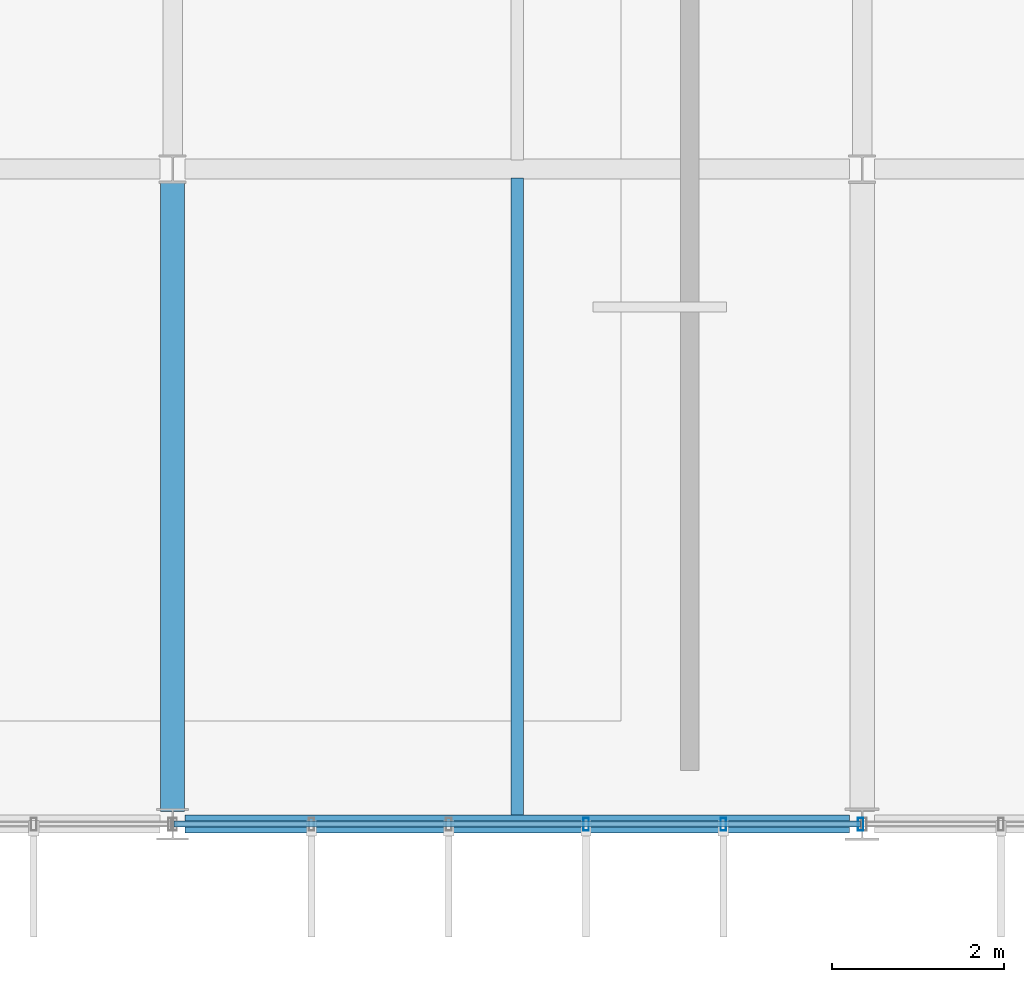
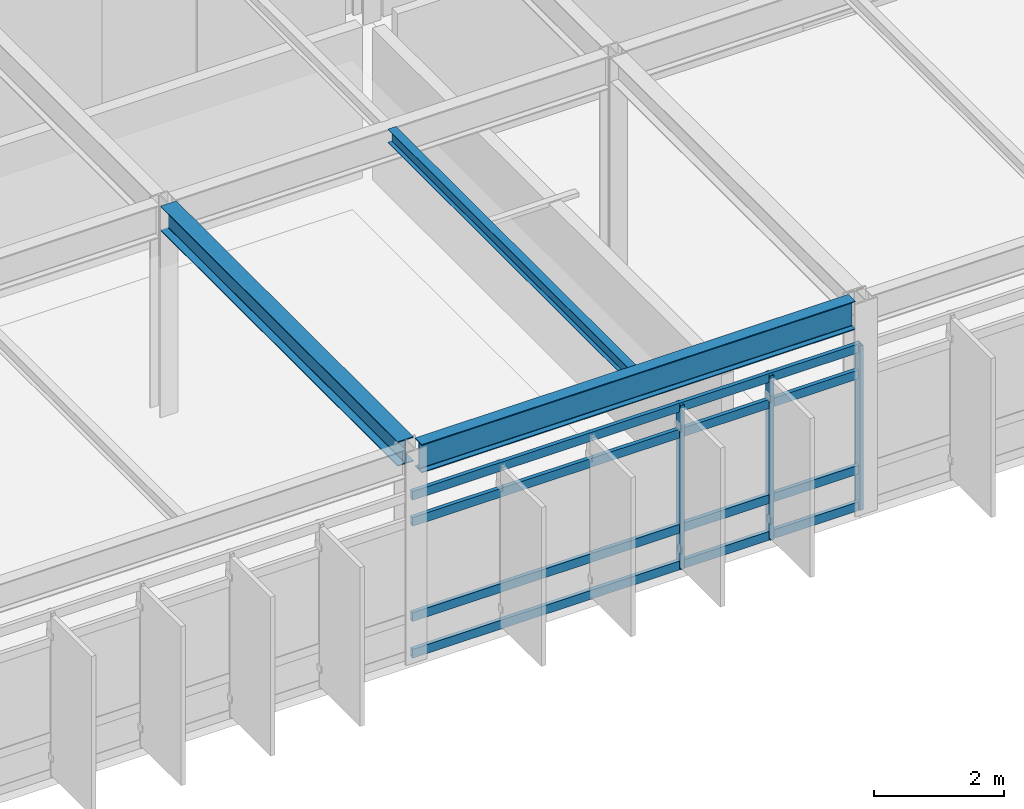
# One storey, part 22 of 85: 7 members, 3 beams, 1 element without a shape of its own.
"""IFC4 building model written with IfcOpenShell, lengths in metres."""

from ifc_helpers import new_model, si_unit, direction, frame, origin, origin_2d, place, context, subcontext, project, spatial, hollow_rectangle, i_section, extrude, material, material_profile, profile_set, type_object, element, aggregate, save


model = new_model("IFC4")

# Units and contexts
model_context = context("Model", 3, precision=1e-05, world=origin(), true_north=direction((0.0, 1.0)))
body_context = subcontext(model_context, "Body", "Model", "MODEL_VIEW")
ifc_project = project(units=[si_unit("LENGTHUNIT", "METRE"), si_unit("AREAUNIT", "SQUARE_METRE"), si_unit("VOLUMEUNIT", "CUBIC_METRE"), si_unit("PLANEANGLEUNIT", "RADIAN"), si_unit("MASSUNIT", "GRAM", prefix="KILO")], contexts=[model_context])

# Site, building, storey
site_placement = place(None, origin())
site = spatial("IfcSite", under=ifc_project, at=site_placement, CompositionType="ELEMENT")
building_placement = place(site_placement, origin())
building = spatial("IfcBuilding", under=site, at=building_placement, Name="Zulena Civic Courthouse", CompositionType="ELEMENT")
storey_placement = place(building_placement, frame((0.0, 0.0, 25.199951171875)))
storey = spatial("IfcBuildingStorey", under=building, at=storey_placement, Name="L05", CompositionType="ELEMENT", Elevation=25.199951171875)

# Curtain wall, members
ifc_material_1 = material(Name="Double-silver low-E laminated solar-control glass", Category="glass")
curtain_wall_type = type_object("IfcCurtainWallType", Name="CW_7964x3090", PredefinedType="USERDEFINED", material=ifc_material_1)
curtain_wall_placement = place(storey_placement, origin())
curtain_wall = element("IfcCurtainWall", 1, at=curtain_wall_placement, inside=storey, type_object=curtain_wall_type, Name="cw:V2:L05:3:4", ObjectType="UNITISED CURTAIN WALL", PredefinedType="USERDEFINED")
ifc_material_2 = material(Name="Bronze anodised thermally broken aluminium AA6063-T6", Category="aluminium")
ifc_material_profile_1 = material_profile(ifc_material_2, hollow_rectangle(XDim=0.06494140625, YDim=0.14990234375, WallThickness=0.00390625, at=origin_2d()), Name="CWM150X65X4")
ifc_profile_set_1 = profile_set([ifc_material_profile_1], Name="Bronze anodised thermally broken aluminium AA6063-T6")
member_type_1 = type_object("IfcMemberType", Name="CWMullion_150x65", PredefinedType="MULLION", material=ifc_profile_set_1)
member_1_placement = place(storey_placement, frame((35.98193359375, 0.0, 0.0), z_axis=(0.0, 0.0, 1.0), x_axis=(1.0, 0.0, 0.0)))
member_1 = element("IfcMember", 2, at=member_1_placement, type_object=member_type_1, Name="cw:V2:L05:3:4:mull:0", PredefinedType="MULLION", context=body_context, shape_type="SweptSolid", body=[
    extrude(hollow_rectangle(XDim=0.06494140625, YDim=0.14990234375, WallThickness=0.00390625, at=origin_2d()), origin(), (0.0, 0.0, 1.0), 3.090087890625),
])
member_2_placement = place(storey_placement, frame((34.38916015625, 0.0, 0.0), z_axis=(0.0, 0.0, 1.0), x_axis=(1.0, 0.0, 0.0)))
member_2 = element("IfcMember", 3, at=member_2_placement, type_object=member_type_1, Name="cw:V2:L05:3:4:mull:1", PredefinedType="MULLION", context=body_context, shape_type="SweptSolid", body=[
    extrude(hollow_rectangle(XDim=0.06494140625, YDim=0.14990234375, WallThickness=0.00390625, at=origin_2d()), origin(), (0.0, 0.0, 1.0), 3.090087890625),
])
member_3_placement = place(storey_placement, frame((32.79638671875, 0.0, 0.0), z_axis=(0.0, 0.0, 1.0), x_axis=(1.0, 0.0, 0.0)))
member_3 = element("IfcMember", 4, at=member_3_placement, type_object=member_type_1, Name="cw:V2:L05:3:4:mull:2", PredefinedType="MULLION", context=body_context, shape_type="SweptSolid", body=[
    extrude(hollow_rectangle(XDim=0.06494140625, YDim=0.14990234375, WallThickness=0.00390625, at=origin_2d()), origin(), (0.0, 0.0, 1.0), 3.090087890625),
])
ifc_material_profile_2 = material_profile(ifc_material_2, hollow_rectangle(XDim=0.070068359375, YDim=0.1650390625, WallThickness=0.00390625, at=origin_2d()), Name="CWT165X70X4")
ifc_profile_set_2 = profile_set([ifc_material_profile_2], Name="Bronze anodised thermally broken aluminium AA6063-T6")
member_type_2 = type_object("IfcMemberType", Name="CWTransom_165x70", PredefinedType="USERDEFINED", material=ifc_profile_set_2)
member_4_placement = place(storey_placement, frame((35.98193359375, 0.0, 0.06005859375), z_axis=(-1.0, 0.0, 0.0), x_axis=(0.0, -1.0, 0.0)))
member_4 = element("IfcMember", 5, at=member_4_placement, type_object=member_type_2, Name="cw:V2:L05:3:4:tran:0", ObjectType="TRANSOM", PredefinedType="USERDEFINED", context=body_context, shape_type="SweptSolid", body=[
    extrude(hollow_rectangle(XDim=0.070068359375, YDim=0.1650390625, WallThickness=0.00390625, at=origin_2d()), origin(), (0.0, 0.0, 1.0), 7.9638671875),
])
member_5_placement = place(storey_placement, frame((35.98193359375, 0.0, 0.75), z_axis=(-1.0, 0.0, 0.0), x_axis=(0.0, -1.0, 0.0)))
member_5 = element("IfcMember", 6, at=member_5_placement, type_object=member_type_2, Name="cw:V2:L05:3:4:tran:1", ObjectType="TRANSOM", PredefinedType="USERDEFINED", context=body_context, shape_type="SweptSolid", body=[
    extrude(hollow_rectangle(XDim=0.070068359375, YDim=0.1650390625, WallThickness=0.00390625, at=origin_2d()), origin(), (0.0, 0.0, 1.0), 7.9638671875),
])
member_6_placement = place(storey_placement, frame((35.98193359375, 0.0, 2.5400390625), z_axis=(-1.0, 0.0, 0.0), x_axis=(0.0, -1.0, 0.0)))
member_6 = element("IfcMember", 7, at=member_6_placement, type_object=member_type_2, Name="cw:V2:L05:3:4:tran:2", ObjectType="TRANSOM", PredefinedType="USERDEFINED", context=body_context, shape_type="SweptSolid", body=[
    extrude(hollow_rectangle(XDim=0.070068359375, YDim=0.1650390625, WallThickness=0.00390625, at=origin_2d()), origin(), (0.0, 0.0, 1.0), 7.9638671875),
])
member_7_placement = place(storey_placement, frame((35.98193359375, 0.0, 3.030029296875), z_axis=(-1.0, 0.0, 0.0), x_axis=(0.0, -1.0, 0.0)))
member_7 = element("IfcMember", 8, at=member_7_placement, type_object=member_type_2, Name="cw:V2:L05:3:4:tran:3", ObjectType="TRANSOM", PredefinedType="USERDEFINED", context=body_context, shape_type="SweptSolid", body=[
    extrude(hollow_rectangle(XDim=0.070068359375, YDim=0.1650390625, WallThickness=0.00390625, at=origin_2d()), origin(), (0.0, 0.0, 1.0), 7.9638671875),
])
aggregate(curtain_wall, [member_1, member_2, member_3, member_4, member_5, member_6, member_7])

# Beams
ifc_material_3 = material(Name="Steel ASTM A992 Grade 50", Category="steel")
ifc_material_profile_3 = material_profile(ifc_material_3, i_section(OverallWidth=0.14599609375, OverallDepth=0.258056640625, WebThickness=0.006103515625, FlangeThickness=0.009033203125, FilletRadius=0.007568359375, at=origin_2d()), Name="W10X22")
ifc_profile_set_3 = profile_set([ifc_material_profile_3], Name="Steel ASTM A992 Grade 50")
beam_type_1 = type_object("IfcBeamType", Name="Joist_W10X22", PredefinedType="JOIST", material=ifc_profile_set_3)
beam_1_placement = place(storey_placement, frame((32.0, 0.10498046875, 3.865966796875), z_axis=(0.0, 1.0, 0.0), x_axis=(-1.0, 0.0, 0.0)))
element("IfcBeam", 9, at=beam_1_placement, inside=storey, type_object=beam_type_1, Name="joist:V2:L05:32.00:0.0_7.6", PredefinedType="JOIST", context=body_context, shape_type="SweptSolid", body=[
    extrude(i_section(OverallWidth=0.14599609375, OverallDepth=0.258056640625, WebThickness=0.006103515625, FlangeThickness=0.009033203125, FilletRadius=0.007568359375, at=origin_2d()), origin(), (0.0, 0.0, 1.0), 7.39013671875),
])
ifc_material_profile_4 = material_profile(ifc_material_3, i_section(OverallWidth=0.280029296875, OverallDepth=0.462890625, WebThickness=0.0107421875, FlangeThickness=0.017333984375, FilletRadius=0.01025390625, at=origin_2d()), Name="W18X76")
ifc_profile_set_4 = profile_set([ifc_material_profile_4], Name="Steel ASTM A992 Grade 50")
beam_type_2 = type_object("IfcBeamType", Name="Spandrel_W18X76", PredefinedType="SPANDREL", material=ifc_profile_set_4)
beam_2_placement = place(storey_placement, frame((28.0, 0.14501953125, 3.763427734375), z_axis=(0.0, 1.0, 0.0), x_axis=(-1.0, 0.0, 0.0)))
element("IfcBeam", 10, at=beam_2_placement, inside=storey, type_object=beam_type_2, Name="beam:Y:V2:L05:28.0:0.0_7.6", PredefinedType="SPANDREL", context=body_context, shape_type="SweptSolid", body=[
    extrude(i_section(OverallWidth=0.280029296875, OverallDepth=0.462890625, WebThickness=0.0107421875, FlangeThickness=0.017333984375, FilletRadius=0.01025390625, at=origin_2d()), origin(), (0.0, 0.0, 1.0), 7.31005859375),
])
ifc_material_profile_5 = material_profile(ifc_material_3, i_section(OverallWidth=0.2099609375, OverallDepth=0.537109375, WebThickness=0.010986328125, FlangeThickness=0.017333984375, FilletRadius=0.0126953125, at=origin_2d()), Name="W21X68")
ifc_profile_set_5 = profile_set([ifc_material_profile_5], Name="Steel ASTM A992 Grade 50")
beam_type_3 = type_object("IfcBeamType", Name="Spandrel_W21X68", PredefinedType="SPANDREL", material=ifc_profile_set_5)
beam_3_placement = place(storey_placement, frame((28.14501953125, 0.0, 3.7265625), z_axis=(1.0, 0.0, 0.0), x_axis=(0.0, 1.0, 0.0)))
element("IfcBeam", 11, at=beam_3_placement, inside=storey, type_object=beam_type_3, Name="beam:X:V2:L05:0.0:28.0_36.0", PredefinedType="SPANDREL", context=body_context, shape_type="SweptSolid", body=[
    extrude(i_section(OverallWidth=0.2099609375, OverallDepth=0.537109375, WebThickness=0.010986328125, FlangeThickness=0.017333984375, FilletRadius=0.0126953125, at=origin_2d()), origin(), (0.0, 0.0, 1.0), 7.7099609375),
])

save(model, "model.ifc")
